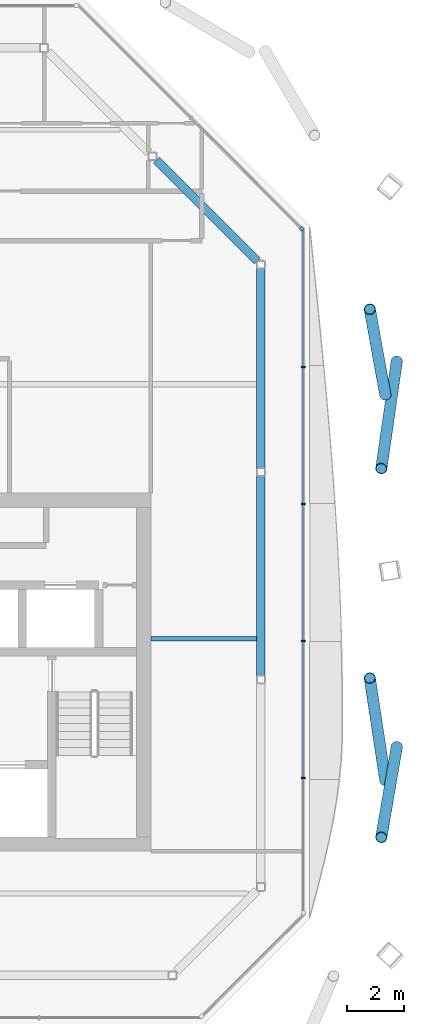
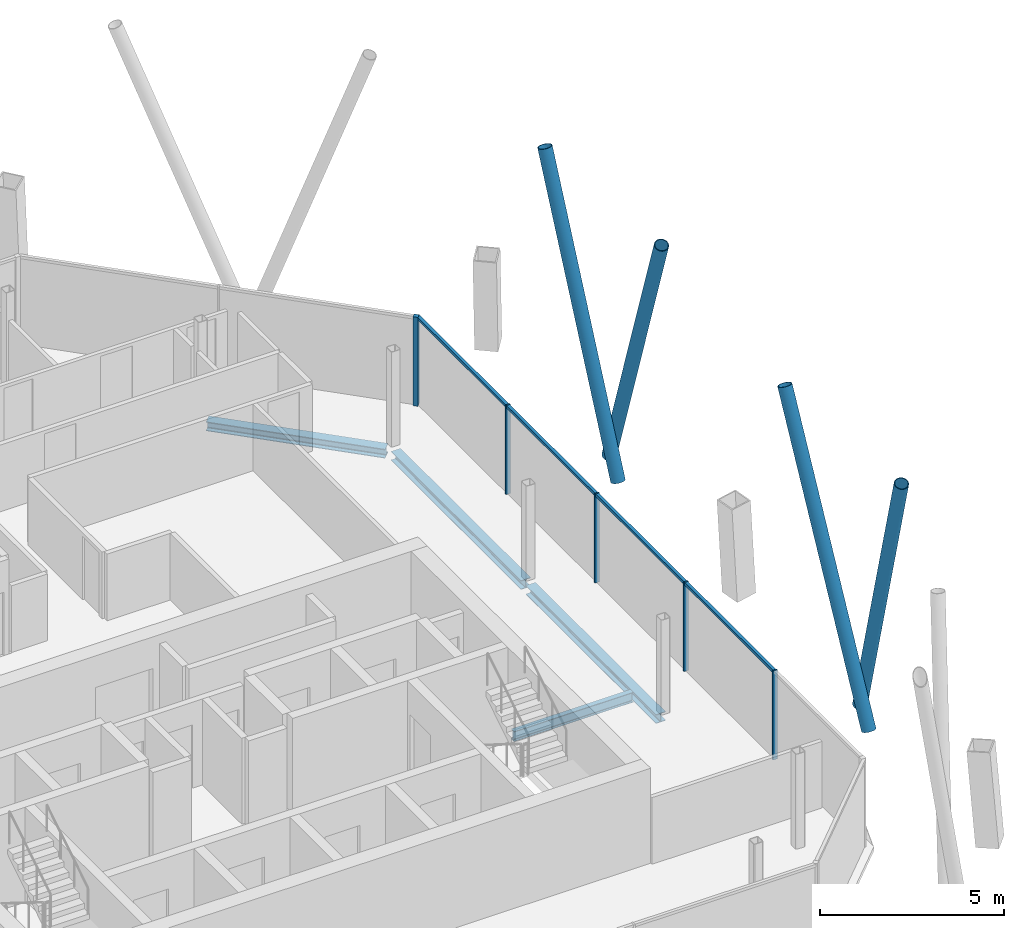
# One storey, part 8 of 17: 13 members, 4 beams, 2 elements without a shape of their own.
"""IFC4 building model written with IfcOpenShell, lengths in metres."""

from ifc_helpers import new_model, si_unit, direction, frame, origin, origin_2d, place, context, subcontext, project, spatial, rectangle, hollow_circle, i_section, extrude, material, material_profile, profile_set, type_object, element, aggregate, save


model = new_model("IFC4")

# Units and contexts
model_context = context("Model", 3, precision=1e-05, world=origin(), true_north=direction((0.0, 1.0)))
body_context = subcontext(model_context, "Body", "Model", "MODEL_VIEW")
ifc_project = project(units=[si_unit("LENGTHUNIT", "METRE"), si_unit("AREAUNIT", "SQUARE_METRE"), si_unit("VOLUMEUNIT", "CUBIC_METRE"), si_unit("PLANEANGLEUNIT", "RADIAN"), si_unit("MASSUNIT", "GRAM", prefix="KILO")], contexts=[model_context])

# Site, building, storey
site_placement = place(None, origin())
site = spatial("IfcSite", under=ifc_project, at=site_placement, CompositionType="ELEMENT")
building_placement = place(site_placement, origin())
building = spatial("IfcBuilding", under=site, at=building_placement, Name="Tskaro Facet Tower", CompositionType="ELEMENT")
storey_placement = place(building_placement, frame((0.0, 0.0, 236.10009765625)))
storey = spatial("IfcBuildingStorey", under=building, at=storey_placement, Name="L61", CompositionType="ELEMENT", Elevation=236.10009765625)

# Members
ifc_material_1 = material(Name="Steel S355J2H", Category="steel")
ifc_material_profile_1 = material_profile(ifc_material_1, hollow_circle(Radius=0.203125, WallThickness=0.02001953125, at=origin_2d()), Name="CHS 406.4x20")
ifc_profile_set_1 = profile_set([ifc_material_profile_1], Name="Steel S355J2H")
member_type_1 = type_object("IfcMemberType", Name="CHS 406.4x20 brace", PredefinedType="BRACE", material=ifc_profile_set_1)
member_1_placement = place(storey_placement, frame((17.785888671875, -9.49560546875, 0.0), z_axis=(-0.054097273062, 0.356535969811, 0.932714097287), x_axis=(-0.988683991318, -0.15001321712, 0.0)))
element("IfcMember", 1, at=member_1_placement, inside=storey, type_object=member_type_1, Name="CHS 406.4x20 XB04A/5", PredefinedType="BRACE", context=body_context, shape_type="SweptSolid", body=[
    extrude(hollow_circle(Radius=0.203125, WallThickness=0.02001953125, at=origin_2d()), origin(), (0.0, 0.0, 1.0), 10.131591796875),
])
member_2_placement = place(storey_placement, frame((18.192138671875, -8.31591796875, 0.0), z_axis=(-0.054825647267, -0.320402646281, 0.945693551135), x_axis=(0.985673707778, -0.168663397915, 0.0)))
element("IfcMember", 2, at=member_2_placement, inside=storey, type_object=member_type_1, Name="CHS 406.4x20 XB04B/5", PredefinedType="BRACE", context=body_context, shape_type="SweptSolid", body=[
    extrude(hollow_circle(Radius=0.203125, WallThickness=0.02001953125, at=origin_2d()), origin(), (0.0, 0.0, 1.0), 9.99267578125),
])
member_3_placement = place(storey_placement, frame((17.785888671875, 4.131591796875, 0.0), z_axis=(-0.055159346948, 0.30415035896, 0.951025764945), x_axis=(-0.983949932711, -0.178444753125, 0.0)))
element("IfcMember", 3, at=member_3_placement, inside=storey, type_object=member_type_1, Name="CHS 406.4x20 XB05A/5", PredefinedType="BRACE", context=body_context, shape_type="SweptSolid", body=[
    extrude(hollow_circle(Radius=0.203125, WallThickness=0.02001953125, at=origin_2d()), origin(), (0.0, 0.0, 1.0), 9.9365234375),
])
member_4_placement = place(storey_placement, frame((18.192138671875, 5.3115234375, 0.0), z_axis=(-0.053727628218, -0.371807637523, 0.926753701177), x_axis=(0.989720038732, -0.14301833775, 0.0)))
element("IfcMember", 4, at=member_4_placement, inside=storey, type_object=member_type_1, Name="CHS 406.4x20 XB05B/5", PredefinedType="BRACE", context=body_context, shape_type="SweptSolid", body=[
    extrude(hollow_circle(Radius=0.203125, WallThickness=0.02001953125, at=origin_2d()), origin(), (0.0, 0.0, 1.0), 10.19677734375),
])

# Curtain wall, member
ifc_material_2 = material(Name="Bronze anodised aluminium 6063-T6", Category="aluminium")
curtain_wall_type = type_object("IfcCurtainWallType", Name="Bronze residence curtain wall (FW3)", PredefinedType="NOTDEFINED", material=ifc_material_2)
curtain_wall_1_placement = place(storey_placement, origin())
curtain_wall_1 = element("IfcCurtainWall", 5, at=curtain_wall_1_placement, inside=storey, type_object=curtain_wall_type, Name="FW3 north-east facet L61", PredefinedType="NOTDEFINED")
ifc_material_profile_2 = material_profile(ifc_material_2, rectangle(XDim=0.139892578125, YDim=0.139892578125, at=origin_2d()), Name="Corner post 140x140")
ifc_profile_set_2 = profile_set([ifc_material_profile_2], Name="Bronze anodised aluminium 6063-T6")
member_type_2 = type_object("IfcMemberType", Name="FW3 bronze corner post 140x140", PredefinedType="MULLION", material=ifc_profile_set_2)
member_5_placement = place(storey_placement, frame((14.839599609375, 9.99755859375, 0.0), z_axis=(0.0, 0.0, 1.0), x_axis=(-0.707106781187, 0.707106781187, 0.0)))
member_5 = element("IfcMember", 6, at=member_5_placement, type_object=member_type_2, Name="FW3 north-east corner post", PredefinedType="MULLION", context=body_context, shape_type="SweptSolid", body=[
    extrude(rectangle(XDim=0.139892578125, YDim=0.139892578125, at=origin_2d()), origin(), (0.0, 0.0, 1.0), 2.949951171875),
])
aggregate(curtain_wall_1, [member_5])

# Curtain wall, members
curtain_wall_2_placement = place(storey_placement, origin())
curtain_wall_2 = element("IfcCurtainWall", 7, at=curtain_wall_2_placement, inside=storey, type_object=curtain_wall_type, Name="FW3 east facet L61", PredefinedType="NOTDEFINED")
ifc_material_profile_3 = material_profile(ifc_material_2, rectangle(XDim=0.050048828125, YDim=0.139892578125, at=origin_2d()), Name="Mullion 50x140")
ifc_profile_set_3 = profile_set([ifc_material_profile_3], Name="Bronze anodised aluminium 6063-T6")
member_type_3 = type_object("IfcMemberType", Name="FW3 bronze mullion 50x140", PredefinedType="MULLION", material=ifc_profile_set_3)
member_6_placement = place(storey_placement, frame((14.888916015625, -9.412841796875, 0.0), z_axis=(0.0, 0.0, 1.0), x_axis=(0.0, 1.0, 0.0)))
member_6 = element("IfcMember", 8, at=member_6_placement, type_object=member_type_3, Name="FW3 east mullion 1", PredefinedType="MULLION", context=body_context, shape_type="SweptSolid", body=[
    extrude(rectangle(XDim=0.050048828125, YDim=0.139892578125, at=origin_2d()), origin(), (0.0, 0.0, 1.0), 2.949951171875),
])
member_7_placement = place(storey_placement, frame((14.888916015625, -4.572509765625, 0.0), z_axis=(0.0, 0.0, 1.0), x_axis=(0.0, 1.0, 0.0)))
member_7 = element("IfcMember", 9, at=member_7_placement, type_object=member_type_3, Name="FW3 east mullion 2", PredefinedType="MULLION", context=body_context, shape_type="SweptSolid", body=[
    extrude(rectangle(XDim=0.050048828125, YDim=0.139892578125, at=origin_2d()), origin(), (0.0, 0.0, 1.0), 2.949951171875),
])
member_8_placement = place(storey_placement, frame((14.888916015625, 0.267578125, 0.0), z_axis=(0.0, 0.0, 1.0), x_axis=(0.0, 1.0, 0.0)))
member_8 = element("IfcMember", 10, at=member_8_placement, type_object=member_type_3, Name="FW3 east mullion 3", PredefinedType="MULLION", context=body_context, shape_type="SweptSolid", body=[
    extrude(rectangle(XDim=0.050048828125, YDim=0.139892578125, at=origin_2d()), origin(), (0.0, 0.0, 1.0), 2.949951171875),
])
member_9_placement = place(storey_placement, frame((14.888916015625, 5.10791015625, 0.0), z_axis=(0.0, 0.0, 1.0), x_axis=(0.0, 1.0, 0.0)))
member_9 = element("IfcMember", 11, at=member_9_placement, type_object=member_type_3, Name="FW3 east mullion 4", PredefinedType="MULLION", context=body_context, shape_type="SweptSolid", body=[
    extrude(rectangle(XDim=0.050048828125, YDim=0.139892578125, at=origin_2d()), origin(), (0.0, 0.0, 1.0), 2.949951171875),
])
ifc_material_profile_4 = material_profile(ifc_material_2, rectangle(XDim=0.10009765625, YDim=0.090087890625, at=origin_2d()), Name="Transom 100x90")
ifc_profile_set_4 = profile_set([ifc_material_profile_4], Name="Bronze anodised aluminium 6063-T6")
member_type_4 = type_object("IfcMemberType", Name="FW3 bronze transom 100x90", PredefinedType="USERDEFINED", material=ifc_profile_set_4)
member_10_placement = place(storey_placement, frame((14.888916015625, -9.3876953125, 2.90478515625), z_axis=(0.0, 1.0, 0.0), x_axis=(-1.0, 0.0, 0.0)))
member_10 = element("IfcMember", 12, at=member_10_placement, type_object=member_type_4, Name="FW3 east transom 2.1", ObjectType="TRANSOM", PredefinedType="USERDEFINED", context=body_context, shape_type="SweptSolid", body=[
    extrude(rectangle(XDim=0.10009765625, YDim=0.090087890625, at=origin_2d()), origin(), (0.0, 0.0, 1.0), 4.7900390625),
])
member_11_placement = place(storey_placement, frame((14.888916015625, -4.547607421875, 2.90478515625), z_axis=(0.0, 1.0, 0.0), x_axis=(-1.0, 0.0, 0.0)))
member_11 = element("IfcMember", 13, at=member_11_placement, type_object=member_type_4, Name="FW3 east transom 3.1", ObjectType="TRANSOM", PredefinedType="USERDEFINED", context=body_context, shape_type="SweptSolid", body=[
    extrude(rectangle(XDim=0.10009765625, YDim=0.090087890625, at=origin_2d()), origin(), (0.0, 0.0, 1.0), 4.790283203125),
])
member_12_placement = place(storey_placement, frame((14.888916015625, 0.29248046875, 2.90478515625), z_axis=(0.0, 1.0, 0.0), x_axis=(-1.0, 0.0, 0.0)))
member_12 = element("IfcMember", 14, at=member_12_placement, type_object=member_type_4, Name="FW3 east transom 4.1", ObjectType="TRANSOM", PredefinedType="USERDEFINED", context=body_context, shape_type="SweptSolid", body=[
    extrude(rectangle(XDim=0.10009765625, YDim=0.090087890625, at=origin_2d()), origin(), (0.0, 0.0, 1.0), 4.790283203125),
])
member_13_placement = place(storey_placement, frame((14.888916015625, 5.1328125, 2.90478515625), z_axis=(0.0, 1.0, 0.0), x_axis=(-1.0, 0.0, 0.0)))
member_13 = element("IfcMember", 15, at=member_13_placement, type_object=member_type_4, Name="FW3 east transom 5.1", ObjectType="TRANSOM", PredefinedType="USERDEFINED", context=body_context, shape_type="SweptSolid", body=[
    extrude(rectangle(XDim=0.10009765625, YDim=0.090087890625, at=origin_2d()), origin(), (0.0, 0.0, 1.0), 4.815185546875),
])
aggregate(curtain_wall_2, [member_6, member_7, member_8, member_9, member_10, member_11, member_12, member_13])

# Beams
ifc_material_3 = material(Name="Steel S355J2", Category="steel")
ifc_material_profile_5 = material_profile(ifc_material_3, i_section(OverallWidth=0.300048828125, OverallDepth=0.300048828125, WebThickness=0.010986328125, FlangeThickness=0.01904296875, FilletRadius=0.027099609375, at=origin_2d()), Name="HE 300 B")
ifc_profile_set_5 = profile_set([ifc_material_profile_5], Name="Steel S355J2")
beam_type_1 = type_object("IfcBeamType", Name="HE 300 B ring beam", PredefinedType="BEAM", material=ifc_profile_set_5)
beam_1_placement = place(storey_placement, frame((13.39111328125, -5.806884765625, -0.2900390625), z_axis=(0.0, 1.0, 0.0), x_axis=(-1.0, 0.0, 0.0)))
element("IfcBeam", 16, at=beam_1_placement, inside=storey, type_object=beam_type_1, Name="HE 300 B EB6-5", PredefinedType="BEAM", context=body_context, shape_type="SweptSolid", body=[
    extrude(i_section(OverallWidth=0.300048828125, OverallDepth=0.300048828125, WebThickness=0.010986328125, FlangeThickness=0.01904296875, FilletRadius=0.027099609375, at=origin_2d()), origin(), (0.0, 0.0, 1.0), 7.07080078125),
])
beam_2_placement = place(storey_placement, frame((13.39111328125, 1.52392578125, -0.2900390625), z_axis=(0.0, 1.0, 0.0), x_axis=(-1.0, 0.0, 0.0)))
element("IfcBeam", 17, at=beam_2_placement, inside=storey, type_object=beam_type_1, Name="HE 300 B EB7-5", PredefinedType="BEAM", context=body_context, shape_type="SweptSolid", body=[
    extrude(i_section(OverallWidth=0.300048828125, OverallDepth=0.300048828125, WebThickness=0.010986328125, FlangeThickness=0.01904296875, FilletRadius=0.027099609375, at=origin_2d()), origin(), (0.0, 0.0, 1.0), 7.071044921875),
])
beam_3_placement = place(storey_placement, frame((13.255126953125, 8.86083984375, -0.2900390625), z_axis=(-0.707106781187, 0.707106781187, 0.0), x_axis=(-0.707106781187, -0.707106781187, 0.0)))
element("IfcBeam", 18, at=beam_3_placement, inside=storey, type_object=beam_type_1, Name="HE 300 B EB8-5", PredefinedType="BEAM", context=body_context, shape_type="SweptSolid", body=[
    extrude(i_section(OverallWidth=0.300048828125, OverallDepth=0.300048828125, WebThickness=0.010986328125, FlangeThickness=0.01904296875, FilletRadius=0.027099609375, at=origin_2d()), origin(), (0.0, 0.0, 1.0), 5.036376953125),
])
ifc_material_profile_6 = material_profile(ifc_material_3, i_section(OverallWidth=0.159912109375, OverallDepth=0.330078125, WebThickness=0.007568359375, FlangeThickness=0.011474609375, FilletRadius=0.01806640625, at=origin_2d()), Name="IPE 330")
ifc_profile_set_6 = profile_set([ifc_material_profile_6], Name="Steel S355J2")
beam_type_2 = type_object("IfcBeamType", Name="IPE 330 secondary beam", PredefinedType="BEAM", material=ifc_profile_set_6)
beam_4_placement = place(storey_placement, frame((9.5, -4.5, -0.30517578125), z_axis=(1.0, 0.0, 0.0), x_axis=(0.0, 1.0, 0.0)))
element("IfcBeam", 19, at=beam_4_placement, inside=storey, type_object=beam_type_2, Name="IPE 330 SB3a-2-5", PredefinedType="BEAM", context=body_context, shape_type="SweptSolid", body=[
    extrude(i_section(OverallWidth=0.159912109375, OverallDepth=0.330078125, WebThickness=0.007568359375, FlangeThickness=0.011474609375, FilletRadius=0.01806640625, at=origin_2d()), origin(), (0.0, 0.0, 1.0), 3.740966796875),
])

save(model, "model.ifc")
